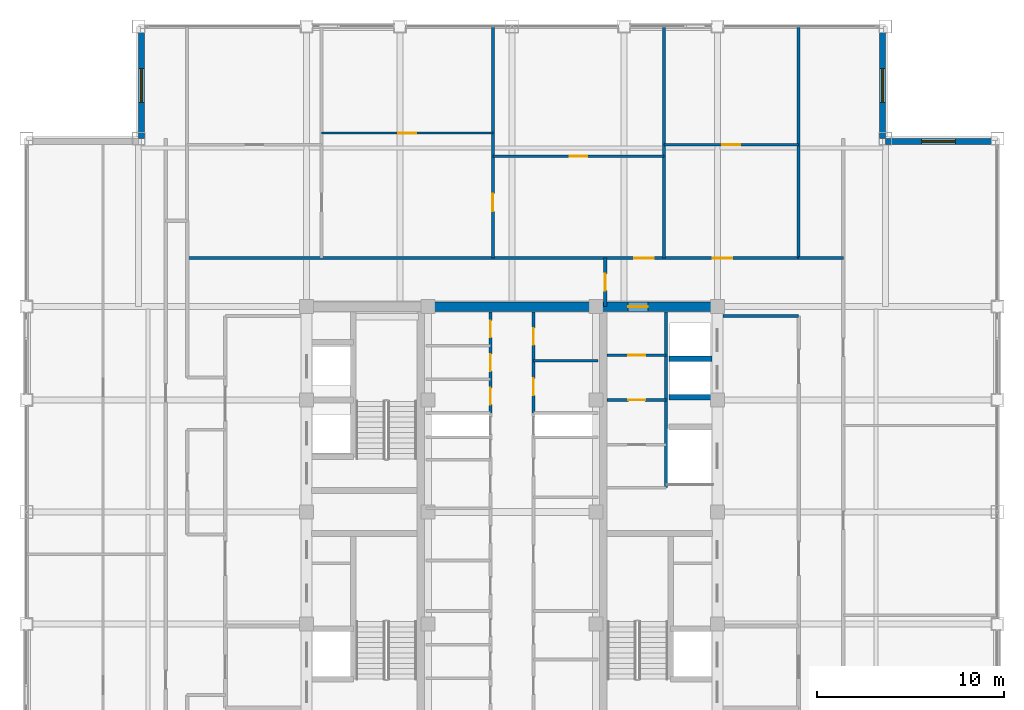
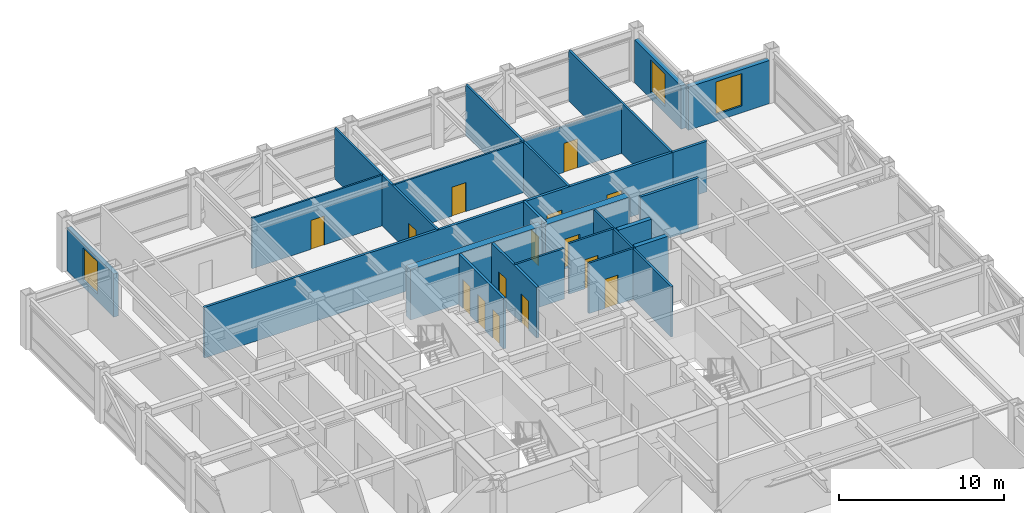
# One storey, part 27 of 29: 23 walls, 15 doors, 3 windows, 18 openings.
"""IFC4 building model written with IfcOpenShell, lengths in metres."""

from ifc_helpers import new_model, si_unit, direction, frame, frame_2d, origin, place, context, subcontext, project, spatial, rectangle, extrude, source, transform, mapped, material, layer, layer_set, type_object, element, fill, save


model = new_model("IFC4")

# Units and contexts
model_context = context("Model", 3, precision=1e-05, world=origin(), true_north=direction((0.0, 1.0)))
body_context = subcontext(model_context, "Body", "Model", "MODEL_VIEW")
ifc_project = project(units=[si_unit("LENGTHUNIT", "METRE"), si_unit("AREAUNIT", "SQUARE_METRE"), si_unit("VOLUMEUNIT", "CUBIC_METRE"), si_unit("PLANEANGLEUNIT", "RADIAN"), si_unit("MASSUNIT", "GRAM", prefix="KILO")], contexts=[model_context])

# Site, building, storey
site_placement = place(None, origin())
site = spatial("IfcSite", under=ifc_project, at=site_placement, CompositionType="ELEMENT")
building_placement = place(site_placement, origin())
building = spatial("IfcBuilding", under=site, at=building_placement, Name="Khorayat Bourse Tower", CompositionType="ELEMENT")
storey_placement = place(building_placement, frame((0.0, 0.0, 366.300048828125)))
storey = spatial("IfcBuildingStorey", under=building, at=storey_placement, Name="L87", CompositionType="ELEMENT", Elevation=366.300048828125)

# Wall, opening, door
ifc_material_1 = material(Name="Concrete C52/65", Category="concrete")
ifc_layer_1 = layer(ifc_material_1, 0.5)
ifc_layer_set_1 = layer_set([ifc_layer_1], Name="Concrete C52/65")
wall_type_1 = type_object("IfcWallType", Name="WAL-CORE-500", PredefinedType="SHEAR", material=ifc_layer_set_1)
shared_shape_1 = source(origin(), body_context, "Body", "SweptSolid", [
    extrude(rectangle(XDim=5.89990234375, YDim=0.5, at=frame_2d((2.949951171875, 0.0))), origin(), (0.0, 0.0, 1.0), 3.739990234375),
])
wall_1_placement = place(storey_placement, frame((4.85009765625, 11.0, 0.0), z_axis=(0.0, 0.0, 1.0), x_axis=(1.0, 0.0, 0.0)))
wall_1 = element("IfcWall", 1, at=wall_1_placement, inside=storey, type_object=wall_type_1, Name="L87 Core Shear Wall PIER-EN", PredefinedType="SHEAR", context=body_context, shape_type="MappedRepresentation", body=[
    mapped(shared_shape_1, transform((0.0, 0.0, 0.0), scale=1.0)),
])
shared_shape_2 = source(origin(), body_context, "Body", "SweptSolid", [
    extrude(rectangle(XDim=1.050048828125, YDim=2.199951171875, at=frame_2d((0.52490234375, 1.10009765625))), frame((0.0, 0.260009765625, 0.0), z_axis=(0.0, -1.0, 0.0), x_axis=(1.0, 0.0, 0.0)), (0.0, 0.0, 1.0), 0.52001953125),
])
opening_1_placement = place(wall_1_placement, frame((1.375, 0.0, 0.0)))
opening_1 = element("IfcOpeningElement", 2, at=opening_1_placement, cuts=wall_1, Name="Opening DI-04", PredefinedType="OPENING", context=body_context, shape_type="MappedRepresentation", body=[
    mapped(shared_shape_2, transform((0.0, 0.0, 0.0), scale=1.0)),
])
ifc_material_2 = material(Name="Fire-rated oak veneer suite entrance door")
door_type_1 = type_object("IfcDoorType", Name="DR-INT-SUITE-1050", OperationType="NOTDEFINED", PredefinedType="DOOR", material=ifc_material_2)
shared_shape_3 = source(origin(), body_context, "Body", "SweptSolid", [
    extrude(rectangle(XDim=1.050048828125, YDim=2.199951171875, at=frame_2d((0.52490234375, 1.10009765625))), frame((0.0, 0.02490234375, 0.0), z_axis=(0.0, -1.0, 0.0), x_axis=(1.0, 0.0, 0.0)), (0.0, 0.0, 1.0), 0.050048828125),
])
door_1_placement = place(opening_1_placement, origin())
door_1 = element("IfcDoor", 3, at=door_1_placement, inside=storey, type_object=door_type_1, Name="L87 Core Washroom Lobby Door", OperationType="SINGLE_SWING_LEFT", OverallHeight=2.199951171875, OverallWidth=1.050048828125, PredefinedType="DOOR", context=body_context, shape_type="MappedRepresentation", body=[
    mapped(shared_shape_3, transform((0.0, 0.0, 0.0), scale=1.0)),
])
fill(opening_1, door_1)

# Wall
shared_shape_4 = source(origin(), body_context, "Body", "SweptSolid", [
    extrude(rectangle(XDim=9.2001953125, YDim=0.5, at=frame_2d((4.60009765625, 0.0))), origin(), (0.0, 0.0, 1.0), 3.739990234375),
])
wall_2_placement = place(storey_placement, frame((-4.60009765625, 11.0, 0.0), z_axis=(0.0, 0.0, 1.0), x_axis=(1.0, 0.0, 0.0)))
element("IfcWall", 4, at=wall_2_placement, inside=storey, type_object=wall_type_1, Name="L87 Core Shear Wall CORE-N", PredefinedType="SHEAR", context=body_context, shape_type="MappedRepresentation", body=[
    mapped(shared_shape_4, transform((0.0, 0.0, 0.0), scale=1.0)),
])

# Wall, opening, window
ifc_material_3 = material(Name="Precast concrete C45/55", Category="concrete")
ifc_layer_2 = layer(ifc_material_3, 0.320068359375)
ifc_layer_set_2 = layer_set([ifc_layer_2], Name="Precast concrete C45/55")
wall_type_2 = type_object("IfcWallType", Name="WAL-EXT-STONE-320", PredefinedType="STANDARD", material=ifc_layer_set_2)
shared_shape_5 = source(origin(), body_context, "Body", "SweptSolid", [
    extrude(rectangle(XDim=5.679931640625, YDim=0.320068359375, at=frame_2d((2.83984375, 0.0))), origin(), (0.0, 0.0, 1.0), 3.19091796875),
])
wall_3_placement = place(storey_placement, frame((20.0, 19.840087890625, 0.0), z_axis=(0.0, 0.0, 1.0), x_axis=(1.0, 0.0, 0.0)))
wall_3 = element("IfcWall", 5, at=wall_3_placement, inside=storey, type_object=wall_type_2, Name="L87 Re-Entrant Notch Limestone Wall NE-H", PredefinedType="STANDARD", context=body_context, shape_type="MappedRepresentation", body=[
    mapped(shared_shape_5, transform((0.0, 0.0, 0.0), scale=1.0)),
])
shared_shape_6 = source(origin(), body_context, "Body", "SweptSolid", [
    extrude(rectangle(XDim=1.800048828125, YDim=2.39990234375, at=frame_2d((0.89990234375, 1.199951171875))), frame((0.0, 0.169921875, 0.0), z_axis=(0.0, -1.0, 0.0), x_axis=(1.0, 0.0, 0.0)), (0.0, 0.0, 1.0), 0.340087890625),
])
opening_2_placement = place(wall_3_placement, frame((1.93994140625, 0.0, 0.5)))
opening_2 = element("IfcOpeningElement", 6, at=opening_2_placement, cuts=wall_3, Name="Opening WN-04", PredefinedType="OPENING", context=body_context, shape_type="MappedRepresentation", body=[
    mapped(shared_shape_6, transform((0.0, 0.0, 0.0), scale=1.0)),
])
ifc_material_4 = material(Name="Low-E acoustic laminated double glazing", Category="glass")
window_type = type_object("IfcWindowType", Name="WIN-NOTCH-1800x2400", PartitioningType="SINGLE_PANEL", PredefinedType="WINDOW", material=ifc_material_4)
shared_shape_7 = source(origin(), body_context, "Body", "SweptSolid", [
    extrude(rectangle(XDim=1.800048828125, YDim=2.39990234375, at=frame_2d((0.89990234375, 1.199951171875))), frame((0.0, 0.030029296875, 0.0), z_axis=(0.0, -1.0, 0.0), x_axis=(1.0, 0.0, 0.0)), (0.0, 0.0, 1.0), 0.06005859375),
])
window_1_placement = place(opening_2_placement, origin())
window_1 = element("IfcWindow", 7, at=window_1_placement, inside=storey, type_object=window_type, Name="L87 Facade Window 1", OverallHeight=2.39990234375, OverallWidth=1.800048828125, PartitioningType="SINGLE_PANEL", PredefinedType="WINDOW", context=body_context, shape_type="MappedRepresentation", body=[
    mapped(shared_shape_7, transform((0.0, 0.0, 0.0), scale=1.0)),
])
fill(opening_2, window_1)

wall_4_placement = place(storey_placement, frame((19.840087890625, 20.0, 0.0), z_axis=(0.0, 0.0, 1.0), x_axis=(0.0, 1.0, 0.0)))
wall_4 = element("IfcWall", 8, at=wall_4_placement, inside=storey, type_object=wall_type_2, Name="L87 Re-Entrant Notch Limestone Wall NE-V", PredefinedType="STANDARD", context=body_context, shape_type="MappedRepresentation", body=[
    mapped(shared_shape_5, transform((0.0, 0.0, 0.0), scale=1.0)),
])
opening_3_placement = place(wall_4_placement, frame((1.93994140625, 0.0, 0.5)))
opening_3 = element("IfcOpeningElement", 9, at=opening_3_placement, cuts=wall_4, Name="Opening WN-04", PredefinedType="OPENING", context=body_context, shape_type="MappedRepresentation", body=[
    mapped(shared_shape_6, transform((0.0, 0.0, 0.0), scale=1.0)),
])
window_2_placement = place(opening_3_placement, origin())
window_2 = element("IfcWindow", 10, at=window_2_placement, inside=storey, type_object=window_type, Name="L87 Facade Window 1", OverallHeight=2.39990234375, OverallWidth=1.800048828125, PartitioningType="SINGLE_PANEL", PredefinedType="WINDOW", context=body_context, shape_type="MappedRepresentation", body=[
    mapped(shared_shape_7, transform((0.0, 0.0, 0.0), scale=1.0)),
])
fill(opening_3, window_2)

wall_5_placement = place(storey_placement, frame((-19.840087890625, 20.0, 0.0), z_axis=(0.0, 0.0, 1.0), x_axis=(0.0, 1.0, 0.0)))
wall_5 = element("IfcWall", 11, at=wall_5_placement, inside=storey, type_object=wall_type_2, Name="L87 Re-Entrant Notch Limestone Wall NW-V", PredefinedType="STANDARD", context=body_context, shape_type="MappedRepresentation", body=[
    mapped(shared_shape_5, transform((0.0, 0.0, 0.0), scale=1.0)),
])
opening_4_placement = place(wall_5_placement, frame((1.93994140625, 0.0, 0.5)))
opening_4 = element("IfcOpeningElement", 12, at=opening_4_placement, cuts=wall_5, Name="Opening WN-04", PredefinedType="OPENING", context=body_context, shape_type="MappedRepresentation", body=[
    mapped(shared_shape_6, transform((0.0, 0.0, 0.0), scale=1.0)),
])
window_3_placement = place(opening_4_placement, origin())
window_3 = element("IfcWindow", 13, at=window_3_placement, inside=storey, type_object=window_type, Name="L87 Facade Window 1", OverallHeight=2.39990234375, OverallWidth=1.800048828125, PartitioningType="SINGLE_PANEL", PredefinedType="WINDOW", context=body_context, shape_type="MappedRepresentation", body=[
    mapped(shared_shape_7, transform((0.0, 0.0, 0.0), scale=1.0)),
])
fill(opening_4, window_3)

# Walls
ifc_material_5 = material(Name="Concrete C50/60", Category="concrete")
ifc_layer_3 = layer(ifc_material_5, 0.300048828125)
ifc_layer_set_3 = layer_set([ifc_layer_3], Name="Concrete C50/60")
wall_type_3 = type_object("IfcWallType", Name="WAL-SHAFT-300", PredefinedType="SHEAR", material=ifc_layer_set_3)
shared_shape_8 = source(origin(), body_context, "Body", "SweptSolid", [
    extrude(rectangle(XDim=2.300048828125, YDim=0.300048828125, at=frame_2d((1.14990234375, 0.0))), origin(), (0.0, 0.0, 1.0), 3.739990234375),
])
for number, where, z_axis, x_axis, name in (
    (14, (8.39990234375, 6.14990234375, 0.0), (0.0, 0.0, 1.0), (1.0, 0.0, 0.0), "L87 Partition WAL-L87-EPIER-H3S"),
    (15, (8.39990234375, 8.199951171875, 0.0), (0.0, 0.0, 1.0), (1.0, 0.0, 0.0), "L87 Partition WAL-L87-EPIER-H34"),
):
    element("IfcWall", number, at=place(storey_placement, frame(where, z_axis=z_axis, x_axis=x_axis)), inside=storey, type_object=wall_type_3, Name=name, PredefinedType="SHEAR", context=body_context, shape_type="MappedRepresentation", body=[
        mapped(shared_shape_8, transform((0.0, 0.0, 0.0), scale=1.0)),
    ])
ifc_material_6 = material(Name="Moisture-resistant masonry partition", Category="masonry")
ifc_layer_4 = layer(ifc_material_6, 0.139892578125)
ifc_layer_set_4 = layer_set([ifc_layer_4], Name="Moisture-resistant masonry partition")
wall_type_4 = type_object("IfcWallType", Name="WAL-PART-WET-140", PredefinedType="PARTITIONING", material=ifc_layer_set_4)
shared_shape_9 = source(origin(), body_context, "Body", "SweptSolid", [
    extrude(rectangle(XDim=9.39990234375, YDim=0.139892578125, at=frame_2d((4.699951171875, 0.0))), origin(), (0.0, 0.0, 1.0), 3.739990234375),
])
wall_6_placement = place(storey_placement, frame((8.25, 1.300048828125, 0.0), z_axis=(0.0, 0.0, 1.0), x_axis=(0.0, 1.0, 0.0)))
element("IfcWall", 16, at=wall_6_placement, inside=storey, type_object=wall_type_4, Name="L87 Partition WAL-L87-ECORE-E", PredefinedType="PARTITIONING", context=body_context, shape_type="MappedRepresentation", body=[
    mapped(shared_shape_9, transform((0.0, 0.0, 0.0), scale=1.0)),
])

# Wall, opening, door
shared_shape_10 = source(origin(), body_context, "Body", "SweptSolid", [
    extrude(rectangle(XDim=3.14990234375, YDim=0.139892578125, at=frame_2d((1.574951171875, 0.0))), origin(), (0.0, 0.0, 1.0), 3.739990234375),
])
wall_7_placement = place(storey_placement, frame((5.10009765625, 8.39990234375, 0.0), z_axis=(0.0, 0.0, 1.0), x_axis=(1.0, 0.0, 0.0)))
wall_7 = element("IfcWall", 17, at=wall_7_placement, inside=storey, type_object=wall_type_4, Name="L87 Partition WAL-L87-ECW-TOP", PredefinedType="PARTITIONING", context=body_context, shape_type="MappedRepresentation", body=[
    mapped(shared_shape_10, transform((0.0, 0.0, 0.0), scale=1.0)),
])
shared_shape_11 = source(origin(), body_context, "Body", "SweptSolid", [
    extrude(rectangle(XDim=0.89990234375, YDim=2.14990234375, at=frame_2d((0.449951171875, 1.074951171875))), frame((0.0, 0.079833984375, 0.0), z_axis=(0.0, -1.0, 0.0), x_axis=(1.0, 0.0, 0.0)), (0.0, 0.0, 1.0), 0.159912109375),
])
opening_5_placement = place(wall_7_placement, frame((1.1298828125, 0.0, 0.0)))
opening_5 = element("IfcOpeningElement", 18, at=opening_5_placement, cuts=wall_7, Name="Opening DI-06", PredefinedType="OPENING", context=body_context, shape_type="MappedRepresentation", body=[
    mapped(shared_shape_11, transform((0.0, 0.0, 0.0), scale=1.0)),
])
ifc_material_7 = material(Name="Moisture-resistant laminate washroom door")
door_type_2 = type_object("IfcDoorType", Name="DR-INT-WC-900", OperationType="NOTDEFINED", PredefinedType="DOOR", material=ifc_material_7)
shared_shape_12 = source(origin(), body_context, "Body", "SweptSolid", [
    extrude(rectangle(XDim=0.89990234375, YDim=2.14990234375, at=frame_2d((0.449951171875, 1.074951171875))), frame((0.0, 0.02490234375, 0.0), z_axis=(0.0, -1.0, 0.0), x_axis=(1.0, 0.0, 0.0)), (0.0, 0.0, 1.0), 0.050048828125),
])
door_2_placement = place(opening_5_placement, origin())
door_2 = element("IfcDoor", 19, at=door_2_placement, inside=storey, type_object=door_type_2, Name="L87 Accessible WC Door", OperationType="SINGLE_SWING_LEFT", OverallHeight=2.14990234375, OverallWidth=0.89990234375, PredefinedType="DOOR", context=body_context, shape_type="MappedRepresentation", body=[
    mapped(shared_shape_12, transform((0.0, 0.0, 0.0), scale=1.0)),
])
fill(opening_5, door_2)

wall_8_placement = place(storey_placement, frame((5.10009765625, 6.0, 0.0), z_axis=(0.0, 0.0, 1.0), x_axis=(1.0, 0.0, 0.0)))
wall_8 = element("IfcWall", 20, at=wall_8_placement, inside=storey, type_object=wall_type_4, Name="L87 Partition WAL-L87-ECW-H1", PredefinedType="PARTITIONING", context=body_context, shape_type="MappedRepresentation", body=[
    mapped(shared_shape_10, transform((0.0, 0.0, 0.0), scale=1.0)),
])
opening_6_placement = place(wall_8_placement, frame((1.1298828125, 0.0, 0.0)))
opening_6 = element("IfcOpeningElement", 21, at=opening_6_placement, cuts=wall_8, Name="Opening DI-06", PredefinedType="OPENING", context=body_context, shape_type="MappedRepresentation", body=[
    mapped(shared_shape_11, transform((0.0, 0.0, 0.0), scale=1.0)),
])
door_3_placement = place(opening_6_placement, origin())
door_3 = element("IfcDoor", 22, at=door_3_placement, inside=storey, type_object=door_type_2, Name="L87 Shared Washroom Door", OperationType="SINGLE_SWING_RIGHT", OverallHeight=2.14990234375, OverallWidth=0.89990234375, PredefinedType="DOOR", context=body_context, shape_type="MappedRepresentation", body=[
    mapped(shared_shape_12, transform((0.0, 0.0, 0.0), scale=1.0)),
])
fill(opening_6, door_3)

# Walls
ifc_material_8 = material(Name="Gypsum plasterboard acoustic stud wall")
ifc_layer_5 = layer(ifc_material_8, 0.179931640625)
ifc_layer_set_5 = layer_set([ifc_layer_5], Name="Gypsum plasterboard acoustic stud wall")
wall_type_5 = type_object("IfcWallType", Name="WAL-PART-CORR-180", PredefinedType="PARTITIONING", material=ifc_layer_set_5)
shared_shape_13 = source(origin(), body_context, "Body", "SweptSolid", [
    extrude(rectangle(XDim=4.050048828125, YDim=0.179931640625, at=frame_2d((2.02490234375, 0.0))), origin(), (0.0, 0.0, 1.0), 3.739990234375),
])
wall_9_placement = place(storey_placement, frame((11.300048828125, 10.5, 0.0), z_axis=(0.0, 0.0, 1.0), x_axis=(1.0, 0.0, 0.0)))
element("IfcWall", 23, at=wall_9_placement, inside=storey, type_object=wall_type_5, Name="L87 Partition WAL-L87-ELOB-N", PredefinedType="PARTITIONING", context=body_context, shape_type="MappedRepresentation", body=[
    mapped(shared_shape_13, transform((0.0, 0.0, 0.0), scale=1.0)),
])
shared_shape_14 = source(origin(), body_context, "Body", "SweptSolid", [
    extrude(rectangle(XDim=3.4501953125, YDim=0.139892578125, at=frame_2d((1.72509765625, 0.0))), origin(), (0.0, 0.0, 1.0), 3.739990234375),
])
wall_10_placement = place(storey_placement, frame((1.14990234375, 8.10009765625, 0.0), z_axis=(0.0, 0.0, 1.0), x_axis=(1.0, 0.0, 0.0)))
element("IfcWall", 24, at=wall_10_placement, inside=storey, type_object=wall_type_4, Name="L87 Partition WAL-L87-FB2E-D1", PredefinedType="PARTITIONING", context=body_context, shape_type="MappedRepresentation", body=[
    mapped(shared_shape_14, transform((0.0, 0.0, 0.0), scale=1.0)),
])

# Wall, openings, doors
shared_shape_15 = source(origin(), body_context, "Body", "SweptSolid", [
    extrude(rectangle(XDim=5.39990234375, YDim=0.179931640625, at=frame_2d((2.699951171875, 0.0))), origin(), (0.0, 0.0, 1.0), 3.739990234375),
])
wall_11_placement = place(storey_placement, frame((-1.14990234375, 5.300048828125, 0.0), z_axis=(0.0, 0.0, 1.0), x_axis=(0.0, 1.0, 0.0)))
wall_11 = element("IfcWall", 25, at=wall_11_placement, inside=storey, type_object=wall_type_5, Name="L87 Partition WAL-L87-FB2W-L", PredefinedType="PARTITIONING", context=body_context, shape_type="MappedRepresentation", body=[
    mapped(shared_shape_15, transform((0.0, 0.0, 0.0), scale=1.0)),
])
shared_shape_16 = source(origin(), body_context, "Body", "SweptSolid", [
    extrude(rectangle(XDim=0.89990234375, YDim=2.14990234375, at=frame_2d((0.449951171875, 1.074951171875))), frame((0.0, 0.099853515625, 0.0), z_axis=(0.0, -1.0, 0.0), x_axis=(1.0, 0.0, 0.0)), (0.0, 0.0, 1.0), 0.199951171875),
])
opening_7_placement = place(wall_11_placement, frame((0.449951171875, 0.0, 0.0)))
opening_7 = element("IfcOpeningElement", 26, at=opening_7_placement, cuts=wall_11, Name="Opening DI-06", PredefinedType="OPENING", context=body_context, shape_type="MappedRepresentation", body=[
    mapped(shared_shape_16, transform((0.0, 0.0, 0.0), scale=1.0)),
])
opening_8_placement = place(wall_11_placement, frame((2.25, 0.0, 0.0)))
opening_8 = element("IfcOpeningElement", 27, at=opening_8_placement, cuts=wall_11, Name="Opening DI-06", PredefinedType="OPENING", context=body_context, shape_type="MappedRepresentation", body=[
    mapped(shared_shape_16, transform((0.0, 0.0, 0.0), scale=1.0)),
])
opening_9_placement = place(wall_11_placement, frame((4.050048828125, 0.0, 0.0)))
opening_9 = element("IfcOpeningElement", 28, at=opening_9_placement, cuts=wall_11, Name="Opening DI-06", PredefinedType="OPENING", context=body_context, shape_type="MappedRepresentation", body=[
    mapped(shared_shape_16, transform((0.0, 0.0, 0.0), scale=1.0)),
])
door_4_placement = place(opening_7_placement, origin())
door_4 = element("IfcDoor", 29, at=door_4_placement, inside=storey, type_object=door_type_2, Name="L87 Custody Vault A Door", OperationType="SINGLE_SWING_RIGHT", OverallHeight=2.14990234375, OverallWidth=0.89990234375, PredefinedType="DOOR", context=body_context, shape_type="MappedRepresentation", body=[
    mapped(shared_shape_12, transform((0.0, 0.0, 0.0), scale=1.0)),
])
fill(opening_7, door_4)
door_5_placement = place(opening_8_placement, origin())
door_5 = element("IfcDoor", 30, at=door_5_placement, inside=storey, type_object=door_type_2, Name="L87 Fiber Patch Room Door", OperationType="SINGLE_SWING_LEFT", OverallHeight=2.14990234375, OverallWidth=0.89990234375, PredefinedType="DOOR", context=body_context, shape_type="MappedRepresentation", body=[
    mapped(shared_shape_12, transform((0.0, 0.0, 0.0), scale=1.0)),
])
fill(opening_8, door_5)
door_6_placement = place(opening_9_placement, origin())
door_6 = element("IfcDoor", 31, at=door_6_placement, inside=storey, type_object=door_type_2, Name="L87 Custody Vault B Door", OperationType="SINGLE_SWING_RIGHT", OverallHeight=2.14990234375, OverallWidth=0.89990234375, PredefinedType="DOOR", context=body_context, shape_type="MappedRepresentation", body=[
    mapped(shared_shape_12, transform((0.0, 0.0, 0.0), scale=1.0)),
])
fill(opening_9, door_6)

wall_12_placement = place(storey_placement, frame((1.14990234375, 5.300048828125, 0.0), z_axis=(0.0, 0.0, 1.0), x_axis=(0.0, 1.0, 0.0)))
wall_12 = element("IfcWall", 32, at=wall_12_placement, inside=storey, type_object=wall_type_5, Name="L87 Partition WAL-L87-FB2E-L", PredefinedType="PARTITIONING", context=body_context, shape_type="MappedRepresentation", body=[
    mapped(shared_shape_15, transform((0.0, 0.0, 0.0), scale=1.0)),
])
opening_10_placement = place(wall_12_placement, frame((0.949951171875, 0.0, 0.0)))
opening_10 = element("IfcOpeningElement", 33, at=opening_10_placement, cuts=wall_12, Name="Opening DI-06", PredefinedType="OPENING", context=body_context, shape_type="MappedRepresentation", body=[
    mapped(shared_shape_16, transform((0.0, 0.0, 0.0), scale=1.0)),
])
opening_11_placement = place(wall_12_placement, frame((3.64990234375, 0.0, 0.0)))
opening_11 = element("IfcOpeningElement", 34, at=opening_11_placement, cuts=wall_12, Name="Opening DI-06", PredefinedType="OPENING", context=body_context, shape_type="MappedRepresentation", body=[
    mapped(shared_shape_16, transform((0.0, 0.0, 0.0), scale=1.0)),
])
door_7_placement = place(opening_10_placement, origin())
door_7 = element("IfcDoor", 35, at=door_7_placement, inside=storey, type_object=door_type_2, Name="L87 Core Pantry Store Door", OperationType="SINGLE_SWING_RIGHT", OverallHeight=2.14990234375, OverallWidth=0.89990234375, PredefinedType="DOOR", context=body_context, shape_type="MappedRepresentation", body=[
    mapped(shared_shape_12, transform((0.0, 0.0, 0.0), scale=1.0)),
])
fill(opening_10, door_7)
door_8_placement = place(opening_11_placement, origin())
door_8 = element("IfcDoor", 36, at=door_8_placement, inside=storey, type_object=door_type_2, Name="L87 Chilled Riser Room Door", OperationType="SINGLE_SWING_LEFT", OverallHeight=2.14990234375, OverallWidth=0.89990234375, PredefinedType="DOOR", context=body_context, shape_type="MappedRepresentation", body=[
    mapped(shared_shape_12, transform((0.0, 0.0, 0.0), scale=1.0)),
])
fill(opening_11, door_8)

# Wall, opening, door
shared_shape_17 = source(origin(), body_context, "Body", "SweptSolid", [
    extrude(rectangle(XDim=2.60009765625, YDim=0.179931640625, at=frame_2d((1.300048828125, 0.0))), origin(), (0.0, 0.0, 1.0), 3.739990234375),
])
wall_13_placement = place(storey_placement, frame((5.0, 11.0, 0.0), z_axis=(0.0, 0.0, 1.0), x_axis=(0.0, 1.0, 0.0)))
wall_13 = element("IfcWall", 37, at=wall_13_placement, inside=storey, type_object=wall_type_5, Name="L87 Partition WAL-L87-CORRNE-W", PredefinedType="PARTITIONING", context=body_context, shape_type="MappedRepresentation", body=[
    mapped(shared_shape_17, transform((0.0, 0.0, 0.0), scale=1.0)),
])
opening_12_placement = place(wall_13_placement, frame((0.85009765625, 0.0, 0.0)))
opening_12 = element("IfcOpeningElement", 38, at=opening_12_placement, cuts=wall_13, Name="Opening DI-06", PredefinedType="OPENING", context=body_context, shape_type="MappedRepresentation", body=[
    mapped(shared_shape_16, transform((0.0, 0.0, 0.0), scale=1.0)),
])
door_9_placement = place(opening_12_placement, origin())
door_9 = element("IfcDoor", 39, at=door_9_placement, inside=storey, type_object=door_type_2, Name="L87 North Core Pantry Door", OperationType="SINGLE_SWING_LEFT", OverallHeight=2.14990234375, OverallWidth=0.89990234375, PredefinedType="DOOR", context=body_context, shape_type="MappedRepresentation", body=[
    mapped(shared_shape_12, transform((0.0, 0.0, 0.0), scale=1.0)),
])
fill(opening_12, door_9)

# Wall
shared_shape_18 = source(origin(), body_context, "Body", "SweptSolid", [
    extrude(rectangle(XDim=2.39990234375, YDim=0.179931640625, at=frame_2d((1.199951171875, 0.0))), origin(), (0.0, 0.0, 1.0), 3.739990234375),
])
wall_14_placement = place(storey_placement, frame((15.35009765625, 13.60009765625, 0.0), z_axis=(0.0, 0.0, 1.0), x_axis=(1.0, 0.0, 0.0)))
element("IfcWall", 40, at=wall_14_placement, inside=storey, type_object=wall_type_5, Name="L87 Partition WAL-L87-GALE-N", PredefinedType="PARTITIONING", context=body_context, shape_type="MappedRepresentation", body=[
    mapped(shared_shape_18, transform((0.0, 0.0, 0.0), scale=1.0)),
])

# Wall, opening, door
ifc_material_9 = material(Name="Gypsum plasterboard twin-frame partition")
ifc_layer_6 = layer(ifc_material_9, 0.14990234375)
ifc_layer_set_6 = layer_set([ifc_layer_6], Name="Gypsum plasterboard twin-frame partition")
wall_type_6 = type_object("IfcWallType", Name="WAL-PART-SUITE-150", PredefinedType="PARTITIONING", material=ifc_layer_set_6)
shared_shape_19 = source(origin(), body_context, "Body", "SweptSolid", [
    extrude(rectangle(XDim=12.39990234375, YDim=0.14990234375, at=frame_2d((6.199951171875, 0.0))), origin(), (0.0, 0.0, 1.0), 3.739990234375),
])
wall_15_placement = place(storey_placement, frame((-1.02490234375, 13.60009765625, 0.0), z_axis=(0.0, 0.0, 1.0), x_axis=(0.0, 1.0, 0.0)))
wall_15 = element("IfcWall", 41, at=wall_15_placement, inside=storey, type_object=wall_type_6, Name="L87 Partition WAL-L87-NDV-2", PredefinedType="PARTITIONING", context=body_context, shape_type="MappedRepresentation", body=[
    mapped(shared_shape_19, transform((0.0, 0.0, 0.0), scale=1.0)),
])
shared_shape_20 = source(origin(), body_context, "Body", "SweptSolid", [
    extrude(rectangle(XDim=0.949951171875, YDim=2.14990234375, at=frame_2d((0.47509765625, 1.074951171875))), frame((0.0, 0.0849609375, 0.0), z_axis=(0.0, -1.0, 0.0), x_axis=(1.0, 0.0, 0.0)), (0.0, 0.0, 1.0), 0.169921875),
])
opening_13_placement = place(wall_15_placement, frame((2.5009765625, 0.0, 0.0)))
opening_13 = element("IfcOpeningElement", 42, at=opening_13_placement, cuts=wall_15, Name="Opening DI-05", PredefinedType="OPENING", context=body_context, shape_type="MappedRepresentation", body=[
    mapped(shared_shape_20, transform((0.0, 0.0, 0.0), scale=1.0)),
])
ifc_material_10 = material(Name="Acoustic oak veneer office door")
door_type_3 = type_object("IfcDoorType", Name="DR-INT-OFFICE-950", OperationType="NOTDEFINED", PredefinedType="DOOR", material=ifc_material_10)
shared_shape_21 = source(origin(), body_context, "Body", "SweptSolid", [
    extrude(rectangle(XDim=0.949951171875, YDim=2.14990234375, at=frame_2d((0.47509765625, 1.074951171875))), frame((0.0, 0.02490234375, 0.0), z_axis=(0.0, -1.0, 0.0), x_axis=(1.0, 0.0, 0.0)), (0.0, 0.0, 1.0), 0.050048828125),
])
door_10_placement = place(opening_13_placement, origin())
door_10 = element("IfcDoor", 43, at=door_10_placement, inside=storey, type_object=door_type_3, Name="L87 N Suite Link 2", OperationType="SINGLE_SWING_LEFT", OverallHeight=2.14990234375, OverallWidth=0.949951171875, PredefinedType="DOOR", context=body_context, shape_type="MappedRepresentation", body=[
    mapped(shared_shape_21, transform((0.0, 0.0, 0.0), scale=1.0)),
])
fill(opening_13, door_10)

# Walls
for number, where, z_axis, x_axis, name in (
    (44, (8.14501953125, 13.60009765625, 0.0), (0.0, 0.0, 1.0), (0.0, 1.0, 0.0), "L87 Partition WAL-L87-NDV-3"),
    (45, (15.35009765625, 13.60009765625, 0.0), (0.0, 0.0, 1.0), (0.0, 1.0, 0.0), "L87 Partition WAL-L87-NCE-END"),
):
    element("IfcWall", number, at=place(storey_placement, frame(where, z_axis=z_axis, x_axis=x_axis)), inside=storey, type_object=wall_type_6, Name=name, PredefinedType="PARTITIONING", context=body_context, shape_type="MappedRepresentation", body=[
        mapped(shared_shape_19, transform((0.0, 0.0, 0.0), scale=1.0)),
    ])

# Wall, openings, doors
shared_shape_22 = source(origin(), body_context, "Body", "SweptSolid", [
    extrude(rectangle(XDim=32.75, YDim=0.179931640625, at=frame_2d((16.375, 0.0))), origin(), (0.0, 0.0, 1.0), 3.739990234375),
])
wall_16_placement = place(storey_placement, frame((-17.39990234375, 13.60009765625, 0.0), z_axis=(0.0, 0.0, 1.0), x_axis=(1.0, 0.0, 0.0)))
wall_16 = element("IfcWall", 46, at=wall_16_placement, inside=storey, type_object=wall_type_5, Name="L87 Partition WAL-L87-NCORR", PredefinedType="PARTITIONING", context=body_context, shape_type="MappedRepresentation", body=[
    mapped(shared_shape_22, transform((0.0, 0.0, 0.0), scale=1.0)),
])
shared_shape_23 = source(origin(), body_context, "Body", "SweptSolid", [
    extrude(rectangle(XDim=1.050048828125, YDim=2.199951171875, at=frame_2d((0.52490234375, 1.10009765625))), frame((0.0, 0.099853515625, 0.0), z_axis=(0.0, -1.0, 0.0), x_axis=(1.0, 0.0, 0.0)), (0.0, 0.0, 1.0), 0.199951171875),
])
opening_14_placement = place(wall_16_placement, frame((23.947509765625, 0.0, 0.0)))
opening_14 = element("IfcOpeningElement", 47, at=opening_14_placement, cuts=wall_16, Name="Opening DI-04", PredefinedType="OPENING", context=body_context, shape_type="MappedRepresentation", body=[
    mapped(shared_shape_23, transform((0.0, 0.0, 0.0), scale=1.0)),
])
opening_15_placement = place(wall_16_placement, frame((28.1474609375, 0.0, 0.0)))
opening_15 = element("IfcOpeningElement", 48, at=opening_15_placement, cuts=wall_16, Name="Opening DI-04", PredefinedType="OPENING", context=body_context, shape_type="MappedRepresentation", body=[
    mapped(shared_shape_23, transform((0.0, 0.0, 0.0), scale=1.0)),
])
door_11_placement = place(opening_14_placement, origin())
door_11 = element("IfcDoor", 49, at=door_11_placement, inside=storey, type_object=door_type_1, Name="L87 Market Risk Analytics Workspace N3 Door", OperationType="SINGLE_SWING_RIGHT", OverallHeight=2.199951171875, OverallWidth=1.050048828125, PredefinedType="DOOR", context=body_context, shape_type="MappedRepresentation", body=[
    mapped(shared_shape_3, transform((0.0, 0.0, 0.0), scale=1.0)),
])
fill(opening_14, door_11)
door_12_placement = place(opening_15_placement, origin())
door_12 = element("IfcDoor", 50, at=door_12_placement, inside=storey, type_object=door_type_1, Name="L87 Clearing Operations Office N4 Door", OperationType="SINGLE_SWING_LEFT", OverallHeight=2.199951171875, OverallWidth=1.050048828125, PredefinedType="DOOR", context=body_context, shape_type="MappedRepresentation", body=[
    mapped(shared_shape_3, transform((0.0, 0.0, 0.0), scale=1.0)),
])
fill(opening_15, door_12)

# Wall, opening, door
ifc_material_11 = material(Name="Gypsum plasterboard partition")
ifc_layer_7 = layer(ifc_material_11, 0.125)
ifc_layer_set_7 = layer_set([ifc_layer_7], Name="Gypsum plasterboard partition")
wall_type_7 = type_object("IfcWallType", Name="WAL-PART-ROOM-125", PredefinedType="PARTITIONING", material=ifc_layer_set_7)
shared_shape_24 = source(origin(), body_context, "Body", "SweptSolid", [
    extrude(rectangle(XDim=9.170166015625, YDim=0.125, at=frame_2d((4.5849609375, 0.0))), origin(), (0.0, 0.0, 1.0), 3.739990234375),
])
wall_17_placement = place(storey_placement, frame((-10.195068359375, 20.2958984375, 0.0), z_axis=(0.0, 0.0, 1.0), x_axis=(1.0, 0.0, 0.0)))
wall_17 = element("IfcWall", 51, at=wall_17_placement, inside=storey, type_object=wall_type_7, Name="L87 Partition WAL-L87-NDP-2", PredefinedType="PARTITIONING", context=body_context, shape_type="MappedRepresentation", body=[
    mapped(shared_shape_24, transform((0.0, 0.0, 0.0), scale=1.0)),
])
shared_shape_25 = source(origin(), body_context, "Body", "SweptSolid", [
    extrude(rectangle(XDim=0.949951171875, YDim=2.14990234375, at=frame_2d((0.47509765625, 1.074951171875))), frame((0.0, 0.072509765625, 0.0), z_axis=(0.0, -1.0, 0.0), x_axis=(1.0, 0.0, 0.0)), (0.0, 0.0, 1.0), 0.14501953125),
])
opening_16_placement = place(wall_17_placement, frame((4.110107421875, 0.0, 0.0)))
opening_16 = element("IfcOpeningElement", 52, at=opening_16_placement, cuts=wall_17, Name="Opening DI-05", PredefinedType="OPENING", context=body_context, shape_type="MappedRepresentation", body=[
    mapped(shared_shape_25, transform((0.0, 0.0, 0.0), scale=1.0)),
])
door_13_placement = place(opening_16_placement, origin())
door_13 = element("IfcDoor", 53, at=door_13_placement, inside=storey, type_object=door_type_3, Name="L87 Clearing Operations Office N2B Door", OperationType="SINGLE_SWING_LEFT", OverallHeight=2.14990234375, OverallWidth=0.949951171875, PredefinedType="DOOR", context=body_context, shape_type="MappedRepresentation", body=[
    mapped(shared_shape_21, transform((0.0, 0.0, 0.0), scale=1.0)),
])
fill(opening_16, door_13)

shared_shape_26 = source(origin(), body_context, "Body", "SweptSolid", [
    extrude(rectangle(XDim=9.169921875, YDim=0.125, at=frame_2d((4.5849609375, 0.0))), origin(), (0.0, 0.0, 1.0), 3.739990234375),
])
wall_18_placement = place(storey_placement, frame((-1.02490234375, 19.055908203125, 0.0), z_axis=(0.0, 0.0, 1.0), x_axis=(1.0, 0.0, 0.0)))
wall_18 = element("IfcWall", 54, at=wall_18_placement, inside=storey, type_object=wall_type_7, Name="L87 Partition WAL-L87-NDP-3", PredefinedType="PARTITIONING", context=body_context, shape_type="MappedRepresentation", body=[
    mapped(shared_shape_26, transform((0.0, 0.0, 0.0), scale=1.0)),
])
opening_17_placement = place(wall_18_placement, frame((4.110107421875, 0.0, 0.0)))
opening_17 = element("IfcOpeningElement", 55, at=opening_17_placement, cuts=wall_18, Name="Opening DI-05", PredefinedType="OPENING", context=body_context, shape_type="MappedRepresentation", body=[
    mapped(shared_shape_25, transform((0.0, 0.0, 0.0), scale=1.0)),
])
door_14_placement = place(opening_17_placement, origin())
door_14 = element("IfcDoor", 56, at=door_14_placement, inside=storey, type_object=door_type_3, Name="L87 Staff Tea Pantry N3B Door", OperationType="SINGLE_SWING_RIGHT", OverallHeight=2.14990234375, OverallWidth=0.949951171875, PredefinedType="DOOR", context=body_context, shape_type="MappedRepresentation", body=[
    mapped(shared_shape_21, transform((0.0, 0.0, 0.0), scale=1.0)),
])
fill(opening_17, door_14)

shared_shape_27 = source(origin(), body_context, "Body", "SweptSolid", [
    extrude(rectangle(XDim=7.205078125, YDim=0.125, at=frame_2d((3.6025390625, 0.0))), origin(), (0.0, 0.0, 1.0), 3.39306640625),
])
wall_19_placement = place(storey_placement, frame((8.14501953125, 19.676025390625, 0.0), z_axis=(0.0, 0.0, 1.0), x_axis=(1.0, 0.0, 0.0)))
wall_19 = element("IfcWall", 57, at=wall_19_placement, inside=storey, type_object=wall_type_7, Name="L87 Partition WAL-L87-NDP-4", PredefinedType="PARTITIONING", context=body_context, shape_type="MappedRepresentation", body=[
    mapped(shared_shape_27, transform((0.0, 0.0, 0.0), scale=1.0)),
])
opening_18_placement = place(wall_19_placement, frame((3.12744140625, 0.0, 0.0)))
opening_18 = element("IfcOpeningElement", 58, at=opening_18_placement, cuts=wall_19, Name="Opening DI-05", PredefinedType="OPENING", context=body_context, shape_type="MappedRepresentation", body=[
    mapped(shared_shape_25, transform((0.0, 0.0, 0.0), scale=1.0)),
])
door_15_placement = place(opening_18_placement, origin())
door_15 = element("IfcDoor", 59, at=door_15_placement, inside=storey, type_object=door_type_3, Name="L87 Executive Boardroom N4B Door", OperationType="SINGLE_SWING_LEFT", OverallHeight=2.14990234375, OverallWidth=0.949951171875, PredefinedType="DOOR", context=body_context, shape_type="MappedRepresentation", body=[
    mapped(shared_shape_21, transform((0.0, 0.0, 0.0), scale=1.0)),
])
fill(opening_18, door_15)

save(model, "model.ifc")
